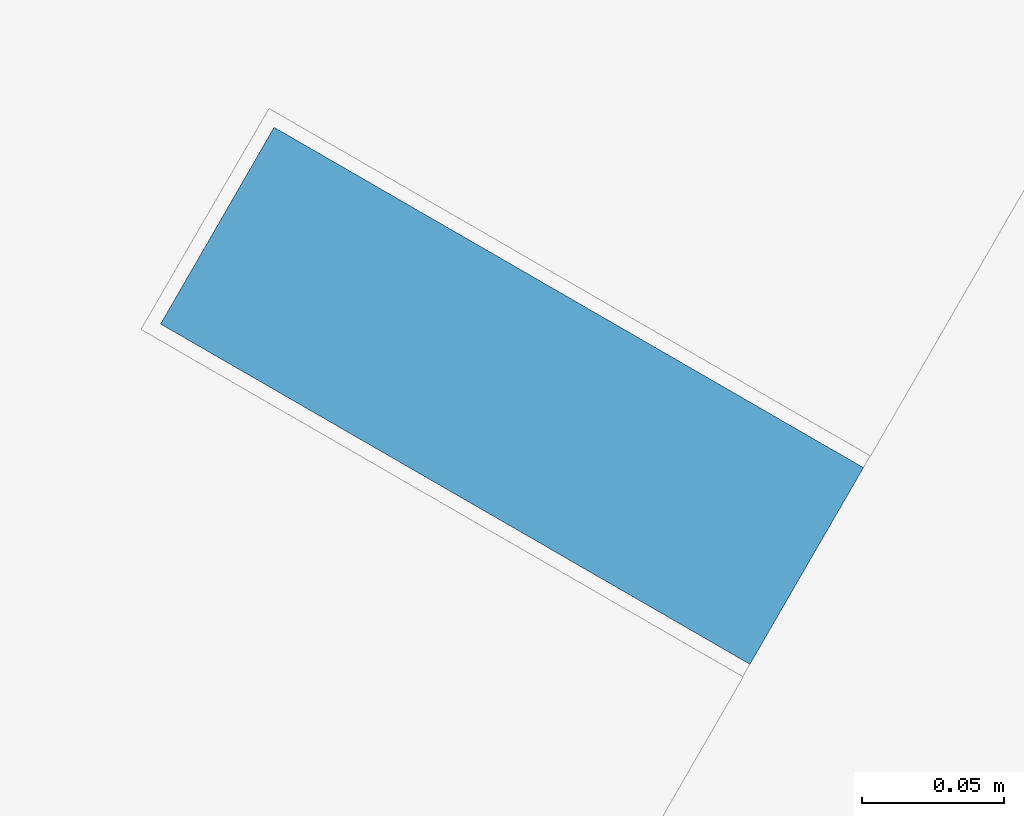
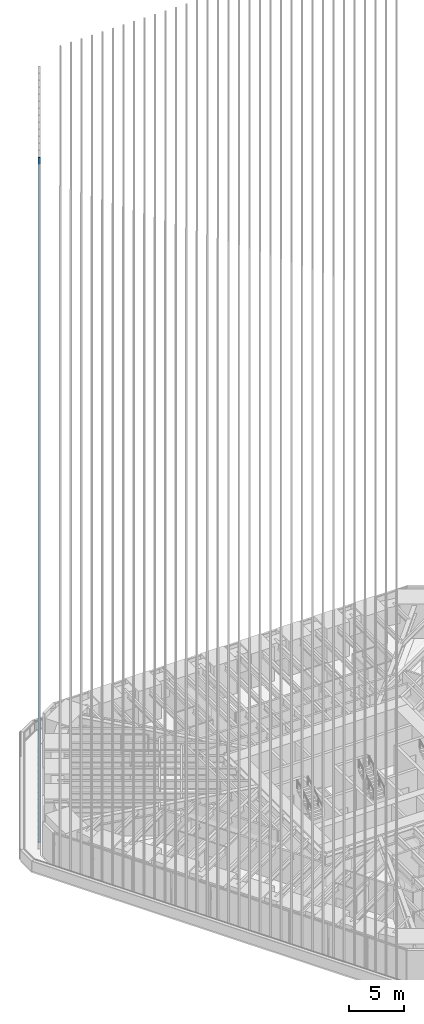
# One storey, part 125 of 238: 1 member, 1 element without a shape of its own.
"""IFC4 building model written with IfcOpenShell, lengths in metres."""

from ifc_helpers import new_model, si_unit, direction, frame, origin, origin_2d, place, context, subcontext, project, spatial, rectangle, extrude, material, material_profile, profile_set, type_object, element, aggregate, save


model = new_model("IFC4")

# Units and contexts
model_context = context("Model", 3, precision=1e-05, world=origin(), true_north=direction((0.0, 1.0)))
body_context = subcontext(model_context, "Body", "Model", "MODEL_VIEW")
ifc_project = project(units=[si_unit("LENGTHUNIT", "METRE"), si_unit("AREAUNIT", "SQUARE_METRE"), si_unit("VOLUMEUNIT", "CUBIC_METRE"), si_unit("PLANEANGLEUNIT", "RADIAN"), si_unit("MASSUNIT", "GRAM", prefix="KILO")], contexts=[model_context])

# Site, building, storey
site_placement = place(None, origin())
site = spatial("IfcSite", under=ifc_project, at=site_placement, CompositionType="ELEMENT")
building_placement = place(site_placement, origin())
building = spatial("IfcBuilding", under=site, at=building_placement, Name="Sandreach Pilgrim Tower", CompositionType="ELEMENT")
storey_placement = place(building_placement, frame((0.0, 0.0, 96.800048828125)))
storey = spatial("IfcBuildingStorey", under=building, at=storey_placement, Name="L23", CompositionType="ELEMENT", Elevation=96.800048828125)

# Curtain wall, member
ifc_material_1 = material(Name="Aluminium framed curtain wall", Category="aluminium")
curtain_wall_type = type_object("IfcCurtainWallType", Name="Hotel tower curtain wall", PredefinedType="NOTDEFINED", material=ifc_material_1)
curtain_wall_placement = place(storey_placement, origin())
curtain_wall = element("IfcCurtainWall", 1, at=curtain_wall_placement, inside=storey, type_object=curtain_wall_type, Name="CW-2 L23 NW", PredefinedType="NOTDEFINED")
ifc_material_2 = material(Name="Extruded terracotta on aluminium core", Category="masonry")
ifc_material_profile = material_profile(ifc_material_2, rectangle(XDim=0.080078125, YDim=0.239990234375, at=origin_2d()), Name="TBW 80X240")
ifc_profile_set = profile_set([ifc_material_profile], Name="Extruded terracotta on aluminium core")
member_type = type_object("IfcMemberType", Name="Terracotta baguette west", PredefinedType="USERDEFINED", material=ifc_profile_set)
member_placement = place(storey_placement, frame((-28.09912109375, 8.555419921875, 0.0), z_axis=(0.0, 0.0, 1.0), x_axis=(0.5, 0.866025403784, 0.0)))
member = element("IfcMember", 2, at=member_placement, type_object=member_type, Name="Baguette Z2 NW02", ObjectType="BAGUETTE", PredefinedType="USERDEFINED", context=body_context, shape_type="SweptSolid", body=[
    extrude(rectangle(XDim=0.080078125, YDim=0.239990234375, at=origin_2d()), origin(), (0.0, 0.0, 1.0), 75.83984375),
])
aggregate(curtain_wall, [member])

save(model, "model.ifc")
